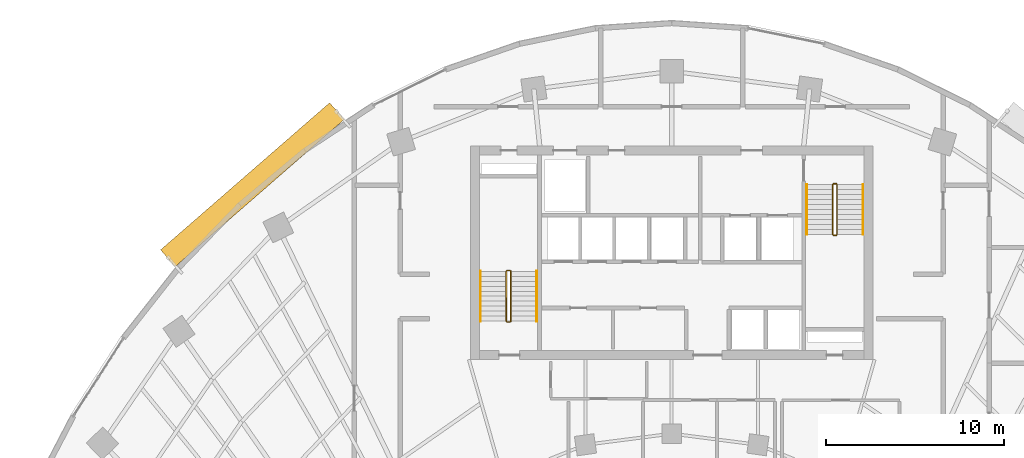
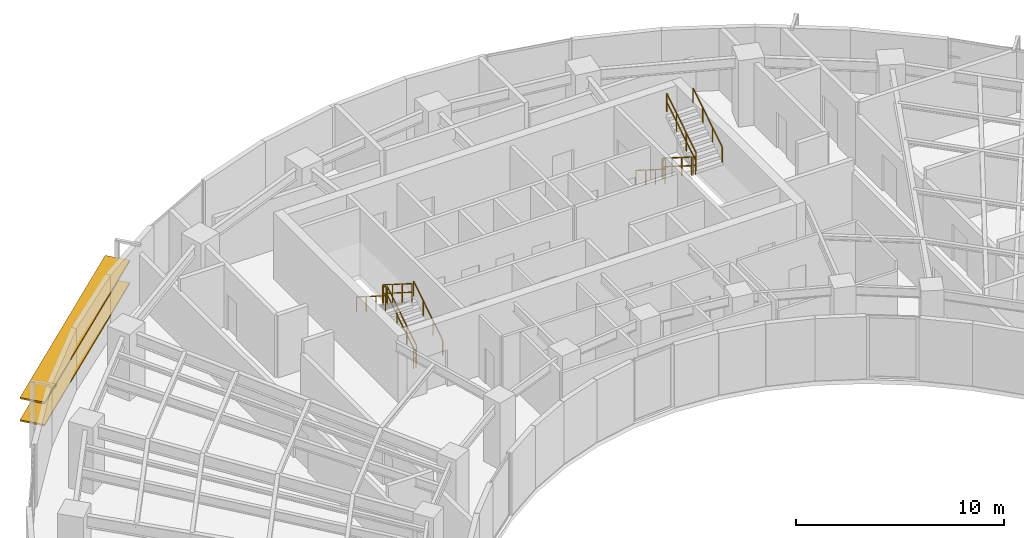
# One storey, part 13 of 14: 12 railings, 2 shading devices.
"""IFC4 building model written with IfcOpenShell, lengths in metres."""

from ifc_helpers import new_model, si_unit, direction, frame, origin, origin_2d, place, context, subcontext, project, spatial, rectangle, extrude, source, transform, mapped, material, material_profile, profile_set, type_object, element, save


model = new_model("IFC4")

# Units and contexts
model_context = context("Model", 3, precision=1e-05, world=origin(), true_north=direction((0.0, 1.0)))
body_context = subcontext(model_context, "Body", "Model", "MODEL_VIEW")
ifc_project = project(units=[si_unit("LENGTHUNIT", "METRE"), si_unit("AREAUNIT", "SQUARE_METRE"), si_unit("VOLUMEUNIT", "CUBIC_METRE"), si_unit("PLANEANGLEUNIT", "RADIAN"), si_unit("MASSUNIT", "GRAM", prefix="KILO")], contexts=[model_context])

# Site, building, storey
site_placement = place(None, origin())
site = spatial("IfcSite", under=ifc_project, at=site_placement, CompositionType="ELEMENT")
building_placement = place(site_placement, origin())
building = spatial("IfcBuilding", under=site, at=building_placement, Name="Breltana Convention Tower", CompositionType="ELEMENT")
storey_placement = place(building_placement, frame((0.0, 0.0, 123.300048828125)))
storey = spatial("IfcBuildingStorey", under=building, at=storey_placement, Name="L29", CompositionType="ELEMENT", Elevation=123.300048828125)

# Railings
ifc_material_1 = material(Name="Steel S275 Painted", Category="steel")
railing_type_1 = type_object("IfcRailingType", Name="RL-STAIR-GUARD-1100", PredefinedType="GUARDRAIL", material=ifc_material_1)
railing_1_placement = place(storey_placement, frame((38.9599609375, 62.360107421875, 0.17724609375)))
element("IfcRailing", 1, at=railing_1_placement, inside=storey, type_object=railing_type_1, Name="L29 ST-1 stair guard 1", PredefinedType="GUARDRAIL", context=body_context, shape_type="SweptSolid", body=[
    extrude(rectangle(XDim=0.048095703125, YDim=0.048095703125, at=origin_2d()), frame((0.0, 0.0, 1.076171875), z_axis=(0.0, 0.844887892834, 0.53494340686), x_axis=(-1.0, 0.0, 0.0)), (0.0, 0.0, 1.0), 3.313720703125),
    extrude(rectangle(XDim=0.048095703125, YDim=0.048095703125, at=origin_2d()), frame((0.0, 0.0, 0.572021484375), z_axis=(0.0, 0.844887892834, 0.53494340686), x_axis=(-1.0, 0.0, 0.0)), (0.0, 0.0, 1.0), 3.313720703125),
    extrude(rectangle(XDim=0.0419921875, YDim=0.0419921875, at=origin_2d()), origin(), (0.0, 0.0, 1.0), 1.052001953125),
    extrude(rectangle(XDim=0.0419921875, YDim=0.0419921875, at=origin_2d()), frame((0.0, 0.933349609375, 0.5908203125)), (0.0, 0.0, 1.0), 1.052001953125),
    extrude(rectangle(XDim=0.0419921875, YDim=0.0419921875, at=origin_2d()), frame((0.0, 1.866455078125, 1.181884765625)), (0.0, 0.0, 1.0), 1.052001953125),
    extrude(rectangle(XDim=0.0419921875, YDim=0.0419921875, at=origin_2d()), frame((0.0, 2.7998046875, 1.772705078125)), (0.0, 0.0, 1.0), 1.052001953125),
])
railing_2_placement = place(storey_placement, frame((38.909912109375, 65.2099609375, 1.949951171875)))
element("IfcRailing", 2, at=railing_2_placement, inside=storey, type_object=railing_type_1, Name="L29 ST-1 stair guard 2", PredefinedType="GUARDRAIL", context=body_context, shape_type="SweptSolid", body=[
    extrude(rectangle(XDim=0.048095703125, YDim=0.048095703125, at=origin_2d()), frame((0.0, 0.0, 1.076171875), z_axis=(-1.0, 0.0, 0.0), x_axis=(0.0, -1.0, 0.0)), (0.0, 0.0, 1.0), 0.14990234375),
    extrude(rectangle(XDim=0.048095703125, YDim=0.048095703125, at=origin_2d()), frame((0.0, 0.0, 0.572021484375), z_axis=(-1.0, 0.0, 0.0), x_axis=(0.0, -1.0, 0.0)), (0.0, 0.0, 1.0), 0.14990234375),
    extrude(rectangle(XDim=0.0419921875, YDim=0.0419921875, at=origin_2d()), origin(), (0.0, 0.0, 1.0), 1.052001953125),
    extrude(rectangle(XDim=0.0419921875, YDim=0.0419921875, at=origin_2d()), frame((-0.14990234375, 0.0, 0.0)), (0.0, 0.0, 1.0), 1.052001953125),
])
railing_3_placement = place(storey_placement, frame((38.7099609375, 65.159912109375, 2.127197265625)))
element("IfcRailing", 3, at=railing_3_placement, inside=storey, type_object=railing_type_1, Name="L29 ST-1 stair guard 3", PredefinedType="GUARDRAIL", context=body_context, shape_type="SweptSolid", body=[
    extrude(rectangle(XDim=0.048095703125, YDim=0.048095703125, at=origin_2d()), frame((0.0, 0.0, 1.076171875), z_axis=(0.0, -0.844887892834, 0.53494340686), x_axis=(1.0, 0.0, 0.0)), (0.0, 0.0, 1.0), 3.313720703125),
    extrude(rectangle(XDim=0.048095703125, YDim=0.048095703125, at=origin_2d()), frame((0.0, 0.0, 0.572021484375), z_axis=(0.0, -0.844887892834, 0.53494340686), x_axis=(1.0, 0.0, 0.0)), (0.0, 0.0, 1.0), 3.313720703125),
    extrude(rectangle(XDim=0.0419921875, YDim=0.0419921875, at=origin_2d()), origin(), (0.0, 0.0, 1.0), 1.052001953125),
    extrude(rectangle(XDim=0.0419921875, YDim=0.0419921875, at=origin_2d()), frame((0.0, -0.933349609375, 0.5908203125)), (0.0, 0.0, 1.0), 1.052001953125),
    extrude(rectangle(XDim=0.0419921875, YDim=0.0419921875, at=origin_2d()), frame((0.0, -1.866455078125, 1.181884765625)), (0.0, 0.0, 1.0), 1.052001953125),
    extrude(rectangle(XDim=0.0419921875, YDim=0.0419921875, at=origin_2d()), frame((0.0, -2.7998046875, 1.772705078125)), (0.0, 0.0, 1.0), 1.052001953125),
])
railing_4_placement = place(storey_placement, frame((38.909912109375, 62.31005859375, 0.0)))
element("IfcRailing", 4, at=railing_4_placement, inside=storey, type_object=railing_type_1, Name="L29 ST-1 stair guard 4", PredefinedType="GUARDRAIL", context=body_context, shape_type="SweptSolid", body=[
    extrude(rectangle(XDim=0.048095703125, YDim=0.048095703125, at=origin_2d()), frame((0.0, 0.0, 1.076171875), z_axis=(-1.0, 0.0, 0.0), x_axis=(0.0, -1.0, 0.0)), (0.0, 0.0, 1.0), 0.14990234375),
    extrude(rectangle(XDim=0.048095703125, YDim=0.048095703125, at=origin_2d()), frame((0.0, 0.0, 0.572021484375), z_axis=(-1.0, 0.0, 0.0), x_axis=(0.0, -1.0, 0.0)), (0.0, 0.0, 1.0), 0.14990234375),
    extrude(rectangle(XDim=0.0419921875, YDim=0.0419921875, at=origin_2d()), origin(), (0.0, 0.0, 1.0), 1.052001953125),
    extrude(rectangle(XDim=0.0419921875, YDim=0.0419921875, at=origin_2d()), frame((-0.14990234375, 0.0, 0.0)), (0.0, 0.0, 1.0), 1.052001953125),
])
railing_5_placement = place(storey_placement, frame((57.0400390625, 70.0400390625, 0.17724609375)))
element("IfcRailing", 5, at=railing_5_placement, inside=storey, type_object=railing_type_1, Name="L29 ST-2 stair guard 1", PredefinedType="GUARDRAIL", context=body_context, shape_type="SweptSolid", body=[
    extrude(rectangle(XDim=0.048095703125, YDim=0.048095703125, at=origin_2d()), frame((0.0, 0.0, 1.076171875), z_axis=(0.0, -0.844908973607, 0.534910110503), x_axis=(1.0, 0.0, 0.0)), (0.0, 0.0, 1.0), 3.31396484375),
    extrude(rectangle(XDim=0.048095703125, YDim=0.048095703125, at=origin_2d()), frame((0.0, 0.0, 0.572021484375), z_axis=(0.0, -0.844908973607, 0.534910110503), x_axis=(1.0, 0.0, 0.0)), (0.0, 0.0, 1.0), 3.31396484375),
    extrude(rectangle(XDim=0.0419921875, YDim=0.0419921875, at=origin_2d()), origin(), (0.0, 0.0, 1.0), 1.052001953125),
    extrude(rectangle(XDim=0.0419921875, YDim=0.0419921875, at=origin_2d()), frame((0.0, -0.933349609375, 0.5908203125)), (0.0, 0.0, 1.0), 1.052001953125),
    extrude(rectangle(XDim=0.0419921875, YDim=0.0419921875, at=origin_2d()), frame((0.0, -1.86669921875, 1.181884765625)), (0.0, 0.0, 1.0), 1.052001953125),
    extrude(rectangle(XDim=0.0419921875, YDim=0.0419921875, at=origin_2d()), frame((0.0, -2.800048828125, 1.772705078125)), (0.0, 0.0, 1.0), 1.052001953125),
])
railing_6_placement = place(storey_placement, frame((57.090087890625, 67.18994140625, 1.949951171875)))
element("IfcRailing", 6, at=railing_6_placement, inside=storey, type_object=railing_type_1, Name="L29 ST-2 stair guard 2", PredefinedType="GUARDRAIL", context=body_context, shape_type="SweptSolid", body=[
    extrude(rectangle(XDim=0.048095703125, YDim=0.048095703125, at=origin_2d()), frame((0.0, 0.0, 1.076171875), z_axis=(1.0, 0.0, 0.0), x_axis=(0.0, 1.0, 0.0)), (0.0, 0.0, 1.0), 0.14990234375),
    extrude(rectangle(XDim=0.048095703125, YDim=0.048095703125, at=origin_2d()), frame((0.0, 0.0, 0.572021484375), z_axis=(1.0, 0.0, 0.0), x_axis=(0.0, 1.0, 0.0)), (0.0, 0.0, 1.0), 0.14990234375),
    extrude(rectangle(XDim=0.0419921875, YDim=0.0419921875, at=origin_2d()), origin(), (0.0, 0.0, 1.0), 1.052001953125),
    extrude(rectangle(XDim=0.0419921875, YDim=0.0419921875, at=origin_2d()), frame((0.14990234375, 0.0, 0.0)), (0.0, 0.0, 1.0), 1.052001953125),
])
railing_7_placement = place(storey_placement, frame((57.2900390625, 67.239990234375, 2.127197265625)))
element("IfcRailing", 7, at=railing_7_placement, inside=storey, type_object=railing_type_1, Name="L29 ST-2 stair guard 3", PredefinedType="GUARDRAIL", context=body_context, shape_type="SweptSolid", body=[
    extrude(rectangle(XDim=0.048095703125, YDim=0.048095703125, at=origin_2d()), frame((0.0, 0.0, 1.076171875), z_axis=(0.0, 0.844908973607, 0.534910110503), x_axis=(-1.0, 0.0, 0.0)), (0.0, 0.0, 1.0), 3.31396484375),
    extrude(rectangle(XDim=0.048095703125, YDim=0.048095703125, at=origin_2d()), frame((0.0, 0.0, 0.572021484375), z_axis=(0.0, 0.844908973607, 0.534910110503), x_axis=(-1.0, 0.0, 0.0)), (0.0, 0.0, 1.0), 3.31396484375),
    extrude(rectangle(XDim=0.0419921875, YDim=0.0419921875, at=origin_2d()), origin(), (0.0, 0.0, 1.0), 1.052001953125),
    extrude(rectangle(XDim=0.0419921875, YDim=0.0419921875, at=origin_2d()), frame((0.0, 0.933349609375, 0.5908203125)), (0.0, 0.0, 1.0), 1.052001953125),
    extrude(rectangle(XDim=0.0419921875, YDim=0.0419921875, at=origin_2d()), frame((0.0, 1.86669921875, 1.181884765625)), (0.0, 0.0, 1.0), 1.052001953125),
    extrude(rectangle(XDim=0.0419921875, YDim=0.0419921875, at=origin_2d()), frame((0.0, 2.800048828125, 1.772705078125)), (0.0, 0.0, 1.0), 1.052001953125),
])
railing_8_placement = place(storey_placement, frame((57.090087890625, 70.090087890625, 0.0)))
element("IfcRailing", 8, at=railing_8_placement, inside=storey, type_object=railing_type_1, Name="L29 ST-2 stair guard 4", PredefinedType="GUARDRAIL", context=body_context, shape_type="SweptSolid", body=[
    extrude(rectangle(XDim=0.048095703125, YDim=0.048095703125, at=origin_2d()), frame((0.0, 0.0, 1.076171875), z_axis=(1.0, 0.0, 0.0), x_axis=(0.0, 1.0, 0.0)), (0.0, 0.0, 1.0), 0.14990234375),
    extrude(rectangle(XDim=0.048095703125, YDim=0.048095703125, at=origin_2d()), frame((0.0, 0.0, 0.572021484375), z_axis=(1.0, 0.0, 0.0), x_axis=(0.0, 1.0, 0.0)), (0.0, 0.0, 1.0), 0.14990234375),
    extrude(rectangle(XDim=0.0419921875, YDim=0.0419921875, at=origin_2d()), origin(), (0.0, 0.0, 1.0), 1.052001953125),
    extrude(rectangle(XDim=0.0419921875, YDim=0.0419921875, at=origin_2d()), frame((0.14990234375, 0.0, 0.0)), (0.0, 0.0, 1.0), 1.052001953125),
])
ifc_material_2 = material(Name="Stainless Steel 316L", Category="steel")
railing_type_2 = type_object("IfcRailingType", Name="RL-STAIR-HANDRAIL-900", PredefinedType="HANDRAIL", material=ifc_material_2)
railing_9_placement = place(storey_placement, frame((40.419921875, 62.360107421875, 0.17724609375)))
element("IfcRailing", 9, at=railing_9_placement, inside=storey, type_object=railing_type_2, Name="L29 ST-1 stair handrail 1", PredefinedType="HANDRAIL", context=body_context, shape_type="SweptSolid", body=[
    extrude(rectangle(XDim=0.048095703125, YDim=0.048095703125, at=origin_2d()), frame((0.0, 0.0, 0.8759765625), z_axis=(0.0, 0.844887892834, 0.53494340686), x_axis=(-1.0, 0.0, 0.0)), (0.0, 0.0, 1.0), 3.313720703125),
    extrude(rectangle(XDim=0.0419921875, YDim=0.0419921875, at=origin_2d()), origin(), (0.0, 0.0, 1.0), 0.851806640625),
    extrude(rectangle(XDim=0.0419921875, YDim=0.0419921875, at=origin_2d()), frame((0.0, 0.933349609375, 0.5908203125)), (0.0, 0.0, 1.0), 0.851806640625),
    extrude(rectangle(XDim=0.0419921875, YDim=0.0419921875, at=origin_2d()), frame((0.0, 1.866455078125, 1.181884765625)), (0.0, 0.0, 1.0), 0.851806640625),
    extrude(rectangle(XDim=0.0419921875, YDim=0.0419921875, at=origin_2d()), frame((0.0, 2.7998046875, 1.772705078125)), (0.0, 0.0, 1.0), 0.851806640625),
])
railing_10_placement = place(storey_placement, frame((37.25, 65.159912109375, 2.127197265625)))
element("IfcRailing", 10, at=railing_10_placement, inside=storey, type_object=railing_type_2, Name="L29 ST-1 stair handrail 2", PredefinedType="HANDRAIL", context=body_context, shape_type="SweptSolid", body=[
    extrude(rectangle(XDim=0.048095703125, YDim=0.048095703125, at=origin_2d()), frame((0.0, 0.0, 0.8759765625), z_axis=(0.0, -0.844887892834, 0.53494340686), x_axis=(1.0, 0.0, 0.0)), (0.0, 0.0, 1.0), 3.313720703125),
    extrude(rectangle(XDim=0.0419921875, YDim=0.0419921875, at=origin_2d()), origin(), (0.0, 0.0, 1.0), 0.851806640625),
    extrude(rectangle(XDim=0.0419921875, YDim=0.0419921875, at=origin_2d()), frame((0.0, -0.933349609375, 0.5908203125)), (0.0, 0.0, 1.0), 0.851806640625),
    extrude(rectangle(XDim=0.0419921875, YDim=0.0419921875, at=origin_2d()), frame((0.0, -1.866455078125, 1.181884765625)), (0.0, 0.0, 1.0), 0.851806640625),
    extrude(rectangle(XDim=0.0419921875, YDim=0.0419921875, at=origin_2d()), frame((0.0, -2.7998046875, 1.772705078125)), (0.0, 0.0, 1.0), 0.851806640625),
])
railing_11_placement = place(storey_placement, frame((55.580078125, 70.0400390625, 0.17724609375)))
element("IfcRailing", 11, at=railing_11_placement, inside=storey, type_object=railing_type_2, Name="L29 ST-2 stair handrail 1", PredefinedType="HANDRAIL", context=body_context, shape_type="SweptSolid", body=[
    extrude(rectangle(XDim=0.048095703125, YDim=0.048095703125, at=origin_2d()), frame((0.0, 0.0, 0.8759765625), z_axis=(0.0, -0.844908973607, 0.534910110503), x_axis=(1.0, 0.0, 0.0)), (0.0, 0.0, 1.0), 3.31396484375),
    extrude(rectangle(XDim=0.0419921875, YDim=0.0419921875, at=origin_2d()), origin(), (0.0, 0.0, 1.0), 0.851806640625),
    extrude(rectangle(XDim=0.0419921875, YDim=0.0419921875, at=origin_2d()), frame((0.0, -0.933349609375, 0.5908203125)), (0.0, 0.0, 1.0), 0.851806640625),
    extrude(rectangle(XDim=0.0419921875, YDim=0.0419921875, at=origin_2d()), frame((0.0, -1.86669921875, 1.181884765625)), (0.0, 0.0, 1.0), 0.851806640625),
    extrude(rectangle(XDim=0.0419921875, YDim=0.0419921875, at=origin_2d()), frame((0.0, -2.800048828125, 1.772705078125)), (0.0, 0.0, 1.0), 0.851806640625),
])
railing_12_placement = place(storey_placement, frame((58.75, 67.239990234375, 2.127197265625)))
element("IfcRailing", 12, at=railing_12_placement, inside=storey, type_object=railing_type_2, Name="L29 ST-2 stair handrail 2", PredefinedType="HANDRAIL", context=body_context, shape_type="SweptSolid", body=[
    extrude(rectangle(XDim=0.048095703125, YDim=0.048095703125, at=origin_2d()), frame((0.0, 0.0, 0.8759765625), z_axis=(0.0, 0.844908973607, 0.534910110503), x_axis=(-1.0, 0.0, 0.0)), (0.0, 0.0, 1.0), 3.31396484375),
    extrude(rectangle(XDim=0.0419921875, YDim=0.0419921875, at=origin_2d()), origin(), (0.0, 0.0, 1.0), 0.851806640625),
    extrude(rectangle(XDim=0.0419921875, YDim=0.0419921875, at=origin_2d()), frame((0.0, 0.933349609375, 0.5908203125)), (0.0, 0.0, 1.0), 0.851806640625),
    extrude(rectangle(XDim=0.0419921875, YDim=0.0419921875, at=origin_2d()), frame((0.0, 1.86669921875, 1.181884765625)), (0.0, 0.0, 1.0), 0.851806640625),
    extrude(rectangle(XDim=0.0419921875, YDim=0.0419921875, at=origin_2d()), frame((0.0, 2.800048828125, 1.772705078125)), (0.0, 0.0, 1.0), 0.851806640625),
])

# Shading devices
ifc_material_3 = material(Name="Limestone Warm Buff Honed", Category="masonry")
ifc_material_profile = material_profile(ifc_material_3, rectangle(XDim=1.25, YDim=0.090087890625, at=origin_2d()), Name="STN-LVR-1250X90")
ifc_profile_set = profile_set([ifc_material_profile], Name="Limestone Warm Buff Honed")
shading_device_type = type_object("IfcShadingDeviceType", Name="SHD-OUTER-SKIN-LIMESTONE-1250", PredefinedType="JALOUSIE", material=ifc_profile_set)
shared_shape = source(origin(), body_context, "Body", "SweptSolid", [
    extrude(rectangle(XDim=1.25, YDim=0.090087890625, at=origin_2d()), origin(), (0.0, 0.0, 1.0), 12.59423828125),
])
for number, where, z_axis, x_axis, name in (
    (13, (19.6826171875, 65.894775390625, 1.31396484375), (0.754366759368, 0.656453191295, 0.0), (-0.656453191295, 0.754366759368, 0.0), "L29 outer skin warm limestone louvre 1.1"),
    (14, (19.6826171875, 65.894775390625, 2.6279296875), (0.754366759368, 0.656453191295, 0.0), (-0.656453191295, 0.754366759368, 0.0), "L29 outer skin warm limestone louvre 1.2"),
):
    element("IfcShadingDevice", number, at=place(storey_placement, frame(where, z_axis=z_axis, x_axis=x_axis)), inside=storey, type_object=shading_device_type, Name=name, PredefinedType="JALOUSIE", context=body_context, shape_type="MappedRepresentation", body=[
        mapped(shared_shape, transform((0.0, 0.0, 0.0), scale=1.0)),
    ])

save(model, "model.ifc")
